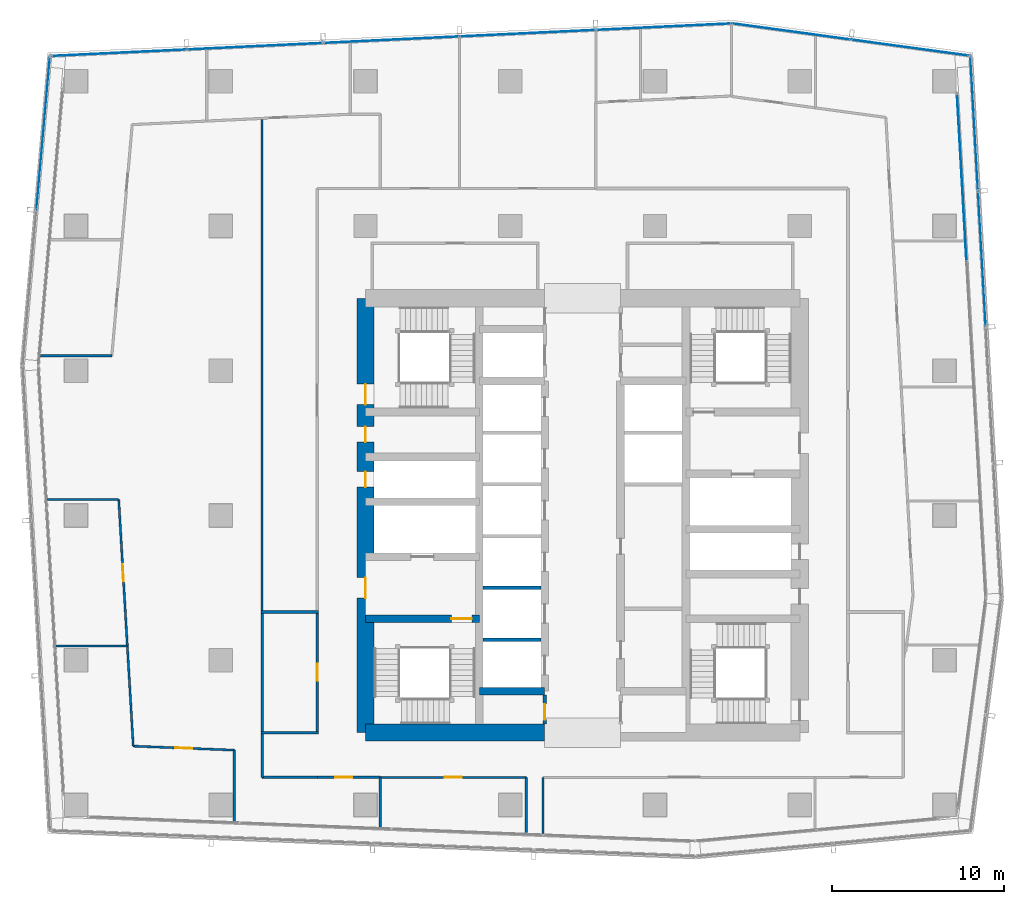
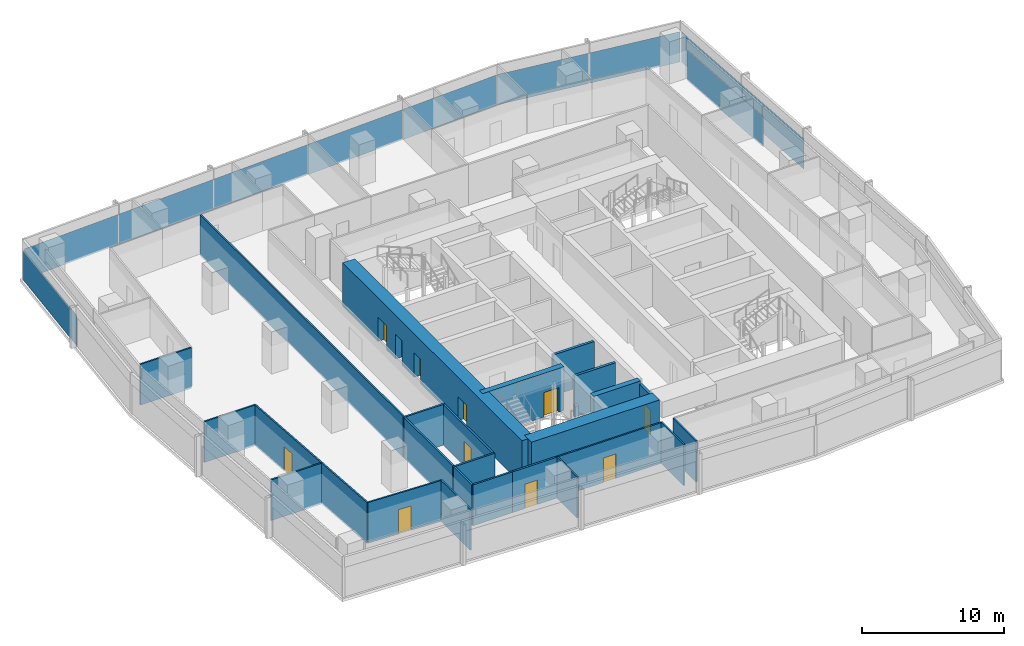
# One storey, part 27 of 38: 26 walls, 11 doors, 11 plates, 11 openings, 5 elements without a shape of their own.
"""IFC4 building model written with IfcOpenShell, lengths in metres."""

from ifc_helpers import new_model, si_unit, direction, frame, frame_2d, origin, origin_2d, place, context, subcontext, project, spatial, rectangle, extrude, material, layer, layer_set, type_object, element, fill, aggregate, save


model = new_model("IFC4")

# Units and contexts
model_context = context("Model", 3, precision=1e-05, world=origin(), true_north=direction((0.0, 1.0)))
body_context = subcontext(model_context, "Body", "Model", "MODEL_VIEW")
ifc_project = project(units=[si_unit("LENGTHUNIT", "METRE"), si_unit("AREAUNIT", "SQUARE_METRE"), si_unit("VOLUMEUNIT", "CUBIC_METRE"), si_unit("PLANEANGLEUNIT", "RADIAN"), si_unit("MASSUNIT", "GRAM", prefix="KILO")], contexts=[model_context])

# Site, building, storey
site_placement = place(None, origin())
site = spatial("IfcSite", under=ifc_project, at=site_placement, CompositionType="ELEMENT")
building_placement = place(site_placement, origin())
building = spatial("IfcBuilding", under=site, at=building_placement, Name="Rekha Terrace Tower", CompositionType="ELEMENT")
storey_placement = place(building_placement, frame((0.0, 0.0, 202.699951171875)))
storey = spatial("IfcBuildingStorey", under=building, at=storey_placement, Name="L51", CompositionType="ELEMENT", Elevation=202.699951171875)

# Curtain wall, plate
ifc_material_1 = material(Name="Aluminium framing", Category="aluminium")
curtain_wall_type_1 = type_object("IfcCurtainWallType", Name="CW1 double skin inner glazing", PredefinedType="USERDEFINED", material=ifc_material_1)
curtain_wall_1_placement = place(storey_placement, origin())
curtain_wall_1 = element("IfcCurtainWall", 1, at=curtain_wall_1_placement, inside=storey, type_object=curtain_wall_type_1, Name="CW1 double skin inner glazing", ObjectType="DOUBLE SKIN INNER GLAZING", PredefinedType="USERDEFINED")
ifc_material_2 = material(Name="Double-glazed low-e unit 32", Category="glass")
ifc_layer_1 = layer(ifc_material_2, 0.031982421875)
ifc_layer_set_1 = layer_set([ifc_layer_1], Name="Double-glazed low-e unit 32")
plate_type_1 = type_object("IfcPlateType", Name="CW1 jumbo vision panel, double-glazed low-e unit 32", PredefinedType="CURTAIN_PANEL", material=ifc_layer_set_1)
plate_1_placement = place(storey_placement, frame((59.799560546875, 53.203369140625, 0.0), z_axis=(0.0, 0.0, 1.0), x_axis=(-0.05667319486, 0.998392782919, 0.0)))
plate_1 = element("IfcPlate", 2, at=plate_1_placement, type_object=plate_type_1, Name="CW1 panel 3.1", PredefinedType="CURTAIN_PANEL", context=body_context, shape_type="SweptSolid", body=[
    extrude(rectangle(XDim=9.694091796875, YDim=0.031982421875, at=origin_2d()), origin(), (0.0, 0.0, 1.0), 2.60009765625),
])
aggregate(curtain_wall_1, [plate_1])

# Curtain wall, plates
curtain_wall_type_2 = type_object("IfcCurtainWallType", Name="CW2 double skin outer glazing", PredefinedType="USERDEFINED", material=ifc_material_1)
curtain_wall_2_placement = place(storey_placement, origin())
curtain_wall_2 = element("IfcCurtainWall", 3, at=curtain_wall_2_placement, inside=storey, type_object=curtain_wall_type_2, Name="CW2 double skin outer glazing", ObjectType="DOUBLE SKIN OUTER GLAZING", PredefinedType="USERDEFINED")
ifc_material_3 = material(Name="Toughened single glazing 12", Category="glass")
ifc_layer_2 = layer(ifc_material_3, 0.011962890625)
ifc_layer_set_2 = layer_set([ifc_layer_2], Name="Toughened single glazing 12")
plate_type_2 = type_object("IfcPlateType", Name="CW2 jumbo vision panel, toughened single glazing 12", PredefinedType="CURTAIN_PANEL", material=ifc_layer_set_2)
plate_2_placement = place(storey_placement, frame((60.9697265625, 48.47314453125, 0.0), z_axis=(0.0, 0.0, 1.0), x_axis=(-0.05667319486, 0.998392782919, 0.0)))
plate_2 = element("IfcPlate", 4, at=plate_2_placement, type_object=plate_type_2, Name="CW2 panel 3.1", PredefinedType="CURTAIN_PANEL", context=body_context, shape_type="SweptSolid", body=[
    extrude(rectangle(XDim=7.823486328125, YDim=0.011962890625, at=origin_2d()), origin(), (0.0, 0.0, 1.0), 2.60009765625),
])
plate_3_placement = place(storey_placement, frame((60.522705078125, 56.343994140625, 0.0), z_axis=(0.0, 0.0, 1.0), x_axis=(-0.05667319486, 0.998392782919, 0.0)))
plate_3 = element("IfcPlate", 5, at=plate_3_placement, type_object=plate_type_2, Name="CW2 panel 4.1", PredefinedType="CURTAIN_PANEL", context=body_context, shape_type="SweptSolid", body=[
    extrude(rectangle(XDim=7.783447265625, YDim=0.011962890625, at=origin_2d()), origin(), (0.0, 0.0, 1.0), 2.60009765625),
])
aggregate(curtain_wall_2, [plate_2, plate_3])

# Curtain wall, plate
curtain_wall_3_placement = place(storey_placement, origin())
curtain_wall_3 = element("IfcCurtainWall", 6, at=curtain_wall_3_placement, inside=storey, type_object=curtain_wall_type_2, Name="CW2 double skin outer glazing", ObjectType="DOUBLE SKIN OUTER GLAZING", PredefinedType="USERDEFINED")
plate_4_placement = place(storey_placement, frame((6.498779296875, 55.78466796875, 0.0), z_axis=(0.0, 0.0, 1.0), x_axis=(-0.087957985453, -0.996124185428, 0.0)))
plate_4 = element("IfcPlate", 7, at=plate_4_placement, type_object=plate_type_2, Name="CW2 panel 1.1", PredefinedType="CURTAIN_PANEL", context=body_context, shape_type="SweptSolid", body=[
    extrude(rectangle(XDim=8.899658203125, YDim=0.011962890625, at=origin_2d()), origin(), (0.0, 0.0, 1.0), 2.60009765625),
])
aggregate(curtain_wall_3, [plate_4])

# Curtain wall, plates
curtain_wall_type_3 = type_object("IfcCurtainWallType", Name="CW3 north unitised glazing", PredefinedType="USERDEFINED", material=ifc_material_1)
curtain_wall_4_placement = place(storey_placement, origin())
curtain_wall_4 = element("IfcCurtainWall", 8, at=curtain_wall_4_placement, inside=storey, type_object=curtain_wall_type_3, Name="CW3 unitised curtain wall", ObjectType="UNITISED CURTAIN WALL", PredefinedType="USERDEFINED")
ifc_material_4 = material(Name="Double-glazed unit 28", Category="glass")
ifc_layer_3 = layer(ifc_material_4, 0.028076171875)
ifc_layer_set_3 = layer_set([ifc_layer_3], Name="Double-glazed unit 28")
plate_type_3 = type_object("IfcPlateType", Name="CW3 jumbo vision panel, double-glazed unit 28", PredefinedType="CURTAIN_PANEL", material=ifc_layer_set_3)
plate_5_placement = place(storey_placement, frame((56.797119140625, 60.745361328125, 0.0), z_axis=(0.0, 0.0, 1.0), x_axis=(-0.990867270504, 0.134840840416, 0.0)))
plate_5 = element("IfcPlate", 9, at=plate_5_placement, type_object=plate_type_3, Name="CW3 panel 1.1", PredefinedType="CURTAIN_PANEL", context=body_context, shape_type="SweptSolid", body=[
    extrude(rectangle(XDim=6.8486328125, YDim=0.028076171875, at=origin_2d()), origin(), (0.0, 0.0, 1.0), 2.60009765625),
])
plate_6_placement = place(storey_placement, frame((49.906982421875, 61.682861328125, 0.0), z_axis=(0.0, 0.0, 1.0), x_axis=(-0.990867270504, 0.134840840416, 0.0)))
plate_6 = element("IfcPlate", 10, at=plate_6_placement, type_object=plate_type_3, Name="CW3 panel 2.1", PredefinedType="CURTAIN_PANEL", context=body_context, shape_type="SweptSolid", body=[
    extrude(rectangle(XDim=6.918701171875, YDim=0.028076171875, at=origin_2d()), origin(), (0.0, 0.0, 1.0), 2.60009765625),
])
aggregate(curtain_wall_4, [plate_5, plate_6])

curtain_wall_5_placement = place(storey_placement, origin())
curtain_wall_5 = element("IfcCurtainWall", 11, at=curtain_wall_5_placement, inside=storey, type_object=curtain_wall_type_3, Name="CW3 unitised curtain wall", ObjectType="UNITISED CURTAIN WALL", PredefinedType="USERDEFINED")
plate_7_placement = place(storey_placement, frame((42.50732421875, 61.95947265625, 0.0), z_axis=(0.0, 0.0, 1.0), x_axis=(-0.998858906204, -0.047758616983, 0.0)))
plate_7 = element("IfcPlate", 12, at=plate_7_placement, type_object=plate_type_3, Name="CW3 panel 1.1", PredefinedType="CURTAIN_PANEL", context=body_context, shape_type="SweptSolid", body=[
    extrude(rectangle(XDim=7.81298828125, YDim=0.028076171875, at=origin_2d()), origin(), (0.0, 0.0, 1.0), 2.60009765625),
])
plate_8_placement = place(storey_placement, frame((34.61572265625, 61.58203125, 0.0), z_axis=(0.0, 0.0, 1.0), x_axis=(-0.998858906204, -0.047758616983, 0.0)))
plate_8 = element("IfcPlate", 13, at=plate_8_placement, type_object=plate_type_3, Name="CW3 panel 2.1", PredefinedType="CURTAIN_PANEL", context=body_context, shape_type="SweptSolid", body=[
    extrude(rectangle(XDim=7.84814453125, YDim=0.028076171875, at=origin_2d()), origin(), (0.0, 0.0, 1.0), 2.60009765625),
])
plate_9_placement = place(storey_placement, frame((26.70654296875, 61.203857421875, 0.0), z_axis=(0.0, 0.0, 1.0), x_axis=(-0.998858906204, -0.047758616983, 0.0)))
plate_9 = element("IfcPlate", 14, at=plate_9_placement, type_object=plate_type_3, Name="CW3 panel 3.1", PredefinedType="CURTAIN_PANEL", context=body_context, shape_type="SweptSolid", body=[
    extrude(rectangle(XDim=7.84814453125, YDim=0.028076171875, at=origin_2d()), origin(), (0.0, 0.0, 1.0), 2.60009765625),
])
plate_10_placement = place(storey_placement, frame((18.79736328125, 60.82568359375, 0.0), z_axis=(0.0, 0.0, 1.0), x_axis=(-0.998858906204, -0.047758616983, 0.0)))
plate_10 = element("IfcPlate", 15, at=plate_10_placement, type_object=plate_type_3, Name="CW3 panel 4.1", PredefinedType="CURTAIN_PANEL", context=body_context, shape_type="SweptSolid", body=[
    extrude(rectangle(XDim=7.84814453125, YDim=0.028076171875, at=origin_2d()), origin(), (0.0, 0.0, 1.0), 2.60009765625),
])
plate_11_placement = place(storey_placement, frame((10.906005859375, 60.448486328125, 0.0), z_axis=(0.0, 0.0, 1.0), x_axis=(-0.998858906204, -0.047758616983, 0.0)))
plate_11 = element("IfcPlate", 16, at=plate_11_placement, type_object=plate_type_3, Name="CW3 panel 5.1", PredefinedType="CURTAIN_PANEL", context=body_context, shape_type="SweptSolid", body=[
    extrude(rectangle(XDim=7.81298828125, YDim=0.028076171875, at=origin_2d()), origin(), (0.0, 0.0, 1.0), 2.60009765625),
])
aggregate(curtain_wall_5, [plate_7, plate_8, plate_9, plate_10, plate_11])

# Wall
ifc_material_5 = material(Name="Concrete M60", Category="concrete")
ifc_layer_4 = layer(ifc_material_5, 0.449951171875)
ifc_layer_set_4 = layer_set([ifc_layer_4], Name="Concrete M60")
wall_type_1 = type_object("IfcWallType", Name="CI3 450 core internal shear wall", PredefinedType="SHEAR", material=ifc_layer_set_4)
wall_1_placement = place(storey_placement, frame((31.800048828125, 23.39990234375, 0.0), z_axis=(0.0, 0.0, 1.0), x_axis=(1.0, 0.0, 0.0)))
element("IfcWall", 17, at=wall_1_placement, inside=storey, type_object=wall_type_1, Name="Core wall Y234W L51", PredefinedType="SHEAR", context=body_context, shape_type="SweptSolid", body=[
    extrude(rectangle(XDim=3.800048828125, YDim=0.449951171875, at=frame_2d((1.89990234375, 0.0))), origin(), (0.0, 0.0, 1.0), 3.75),
])

# Wall, opening, door
wall_2_placement = place(storey_placement, frame((25.199951171875, 27.60009765625, 0.0), z_axis=(0.0, 0.0, 1.0), x_axis=(1.0, 0.0, 0.0)))
wall_2 = element("IfcWall", 18, at=wall_2_placement, inside=storey, type_object=wall_type_1, Name="Core wall Y276W L51", PredefinedType="SHEAR", context=body_context, shape_type="SweptSolid", body=[
    extrude(rectangle(XDim=6.60009765625, YDim=0.449951171875, at=frame_2d((3.300048828125, 0.0))), origin(), (0.0, 0.0, 1.0), 3.75),
])
opening_1_placement = place(wall_2_placement, frame((4.97509765625, 0.0, 0.0)))
opening_1 = element("IfcOpeningElement", 19, at=opening_1_placement, cuts=wall_2, Name="Opening D1", PredefinedType="OPENING", context=body_context, shape_type="SweptSolid", body=[
    extrude(rectangle(XDim=1.199951171875, YDim=2.10009765625, at=frame_2d((0.60009765625, 1.050048828125))), frame((0.0, 0.23486328125, 0.0), z_axis=(0.0, -1.0, 0.0), x_axis=(1.0, 0.0, 0.0)), (0.0, 0.0, 1.0), 0.469970703125),
])
ifc_material_6 = material(Name="Steel fire door", Category="steel")
door_type_1 = type_object("IfcDoorType", Name="D1 1200x2100 stair fire door", OperationType="SINGLE_SWING_RIGHT", PredefinedType="DOOR", material=ifc_material_6)
door_1_placement = place(opening_1_placement, origin())
door_1 = element("IfcDoor", 20, at=door_1_placement, inside=storey, type_object=door_type_1, Name="Stair ST1 door L51", OperationType="SINGLE_SWING_RIGHT", OverallHeight=2.10009765625, OverallWidth=1.199951171875, PredefinedType="DOOR", context=body_context, shape_type="SweptSolid", body=[
    extrude(rectangle(XDim=1.199951171875, YDim=2.10009765625, at=frame_2d((0.60009765625, 1.050048828125))), frame((0.0, 0.02490234375, 0.0), z_axis=(0.0, -1.0, 0.0), x_axis=(1.0, 0.0, 0.0)), (0.0, 0.0, 1.0), 0.050048828125),
])
fill(opening_1, door_1)

# Wall
ifc_layer_5 = layer(ifc_material_5, 1.0)
ifc_layer_set_5 = layer_set([ifc_layer_5], Name="Concrete M60")
wall_type_2 = type_object("IfcWallType", Name="SW3 1000 core outer shear wall", PredefinedType="SHEAR", material=ifc_layer_set_5)
wall_3_placement = place(storey_placement, frame((25.199951171875, 21.0, 0.0), z_axis=(0.0, 0.0, 1.0), x_axis=(1.0, 0.0, 0.0)))
element("IfcWall", 21, at=wall_3_placement, inside=storey, type_object=wall_type_2, Name="Core wall S1 L51", PredefinedType="SHEAR", context=body_context, shape_type="SweptSolid", body=[
    extrude(rectangle(XDim=10.400146484375, YDim=1.0, at=frame_2d((5.2001953125, 0.0))), origin(), (0.0, 0.0, 1.0), 3.75),
])

# Wall, openings, doors
wall_4_placement = place(storey_placement, frame((25.199951171875, 21.0, 0.0), z_axis=(0.0, 0.0, 1.0), x_axis=(0.0, 1.0, 0.0)))
wall_4 = element("IfcWall", 22, at=wall_4_placement, inside=storey, type_object=wall_type_2, Name="Core wall W L51", PredefinedType="SHEAR", context=body_context, shape_type="SweptSolid", body=[
    extrude(rectangle(XDim=25.199951171875, YDim=1.0, at=frame_2d((12.60009765625, 0.0))), origin(), (0.0, 0.0, 1.0), 3.75),
])
opening_2_placement = place(wall_4_placement, frame((7.800048828125, 0.0, 0.0)))
opening_2 = element("IfcOpeningElement", 23, at=opening_2_placement, cuts=wall_4, Name="Opening D2", PredefinedType="OPENING", context=body_context, shape_type="SweptSolid", body=[
    extrude(rectangle(XDim=1.199951171875, YDim=2.10009765625, at=frame_2d((0.60009765625, 1.050048828125))), frame((0.0, 0.510009765625, 0.0), z_axis=(0.0, -1.0, 0.0), x_axis=(1.0, 0.0, 0.0)), (0.0, 0.0, 1.0), 1.02001953125),
])
opening_3_placement = place(wall_4_placement, frame((14.25, 0.0, 0.0)))
opening_3 = element("IfcOpeningElement", 24, at=opening_3_placement, cuts=wall_4, Name="Opening D5", PredefinedType="OPENING", context=body_context, shape_type="SweptSolid", body=[
    extrude(rectangle(XDim=0.89990234375, YDim=2.10009765625, at=frame_2d((0.449951171875, 1.050048828125))), frame((0.0, 0.510009765625, 0.0), z_axis=(0.0, -1.0, 0.0), x_axis=(1.0, 0.0, 0.0)), (0.0, 0.0, 1.0), 1.02001953125),
])
opening_4_placement = place(wall_4_placement, frame((16.85009765625, 0.0, 0.0)))
opening_4 = element("IfcOpeningElement", 25, at=opening_4_placement, cuts=wall_4, Name="Opening D5", PredefinedType="OPENING", context=body_context, shape_type="SweptSolid", body=[
    extrude(rectangle(XDim=0.89990234375, YDim=2.10009765625, at=frame_2d((0.449951171875, 1.050048828125))), frame((0.0, 0.510009765625, 0.0), z_axis=(0.0, -1.0, 0.0), x_axis=(1.0, 0.0, 0.0)), (0.0, 0.0, 1.0), 1.02001953125),
])
opening_5_placement = place(wall_4_placement, frame((19.02490234375, 0.0, 0.0)))
opening_5 = element("IfcOpeningElement", 26, at=opening_5_placement, cuts=wall_4, Name="Opening D1", PredefinedType="OPENING", context=body_context, shape_type="SweptSolid", body=[
    extrude(rectangle(XDim=1.199951171875, YDim=2.10009765625, at=frame_2d((0.60009765625, 1.050048828125))), frame((0.0, 0.510009765625, 0.0), z_axis=(0.0, -1.0, 0.0), x_axis=(1.0, 0.0, 0.0)), (0.0, 0.0, 1.0), 1.02001953125),
])
door_2_placement = place(opening_5_placement, origin())
door_2 = element("IfcDoor", 27, at=door_2_placement, inside=storey, type_object=door_type_1, Name="Stair ST4 door L51", OperationType="SINGLE_SWING_RIGHT", OverallHeight=2.10009765625, OverallWidth=1.199951171875, PredefinedType="DOOR", context=body_context, shape_type="SweptSolid", body=[
    extrude(rectangle(XDim=1.199951171875, YDim=2.10009765625, at=frame_2d((0.60009765625, 1.050048828125))), frame((0.0, 0.02490234375, 0.0), z_axis=(0.0, -1.0, 0.0), x_axis=(1.0, 0.0, 0.0)), (0.0, 0.0, 1.0), 0.050048828125),
])
fill(opening_5, door_2)
door_type_2 = type_object("IfcDoorType", Name="D2 1200x2100 firefighting lobby door", OperationType="SINGLE_SWING_LEFT", PredefinedType="DOOR", material=ifc_material_6)
door_3_placement = place(opening_2_placement, origin())
door_3 = element("IfcDoor", 28, at=door_3_placement, inside=storey, type_object=door_type_2, Name="Door flb1 L51", OperationType="SINGLE_SWING_LEFT", OverallHeight=2.10009765625, OverallWidth=1.199951171875, PredefinedType="DOOR", context=body_context, shape_type="SweptSolid", body=[
    extrude(rectangle(XDim=1.199951171875, YDim=2.10009765625, at=frame_2d((0.60009765625, 1.050048828125))), frame((0.0, 0.02490234375, 0.0), z_axis=(0.0, -1.0, 0.0), x_axis=(1.0, 0.0, 0.0)), (0.0, 0.0, 1.0), 0.050048828125),
])
fill(opening_2, door_3)
door_type_3 = type_object("IfcDoorType", Name="D5 900x2100 riser access door", OperationType="SINGLE_SWING_LEFT", PredefinedType="DOOR", material=ifc_material_6)
door_4_placement = place(opening_3_placement, origin())
door_4 = element("IfcDoor", 29, at=door_4_placement, inside=storey, type_object=door_type_3, Name="Door rs1 L51", OperationType="SINGLE_SWING_LEFT", OverallHeight=2.10009765625, OverallWidth=0.89990234375, PredefinedType="DOOR", context=body_context, shape_type="SweptSolid", body=[
    extrude(rectangle(XDim=0.89990234375, YDim=2.10009765625, at=frame_2d((0.449951171875, 1.050048828125))), frame((0.0, 0.02490234375, 0.0), z_axis=(0.0, -1.0, 0.0), x_axis=(1.0, 0.0, 0.0)), (0.0, 0.0, 1.0), 0.050048828125),
])
fill(opening_3, door_4)
door_5_placement = place(opening_4_placement, origin())
door_5 = element("IfcDoor", 30, at=door_5_placement, inside=storey, type_object=door_type_3, Name="Door elw L51", OperationType="SINGLE_SWING_LEFT", OverallHeight=2.10009765625, OverallWidth=0.89990234375, PredefinedType="DOOR", context=body_context, shape_type="SweptSolid", body=[
    extrude(rectangle(XDim=0.89990234375, YDim=2.10009765625, at=frame_2d((0.449951171875, 1.050048828125))), frame((0.0, 0.02490234375, 0.0), z_axis=(0.0, -1.0, 0.0), x_axis=(1.0, 0.0, 0.0)), (0.0, 0.0, 1.0), 0.050048828125),
])
fill(opening_4, door_5)

# Walls
ifc_material_7 = material(Name="Concrete block masonry, 1 hour", Category="masonry")
ifc_layer_6 = layer(ifc_material_7, 0.14990234375)
ifc_layer_set_6 = layer_set([ifc_layer_6], Name="Concrete block masonry, 1 hour")
wall_type_3 = type_object("IfcWallType", Name="WP2 150 tenancy partition", PredefinedType="PARTITIONING", material=ifc_layer_set_6)
for number, where, z_axis, x_axis, name in (
    (31, (19.125, 21.0, 0.0), (0.0, 0.0, 1.0), (1.0, 0.0, 0.0), "Men's WC wall L51"),
    (32, (19.125, 28.0, 0.0), (0.0, 0.0, 1.0), (1.0, 0.0, 0.0), "Men's WC wall L51"),
):
    element("IfcWall", number, at=place(storey_placement, frame(where, z_axis=z_axis, x_axis=x_axis)), inside=storey, type_object=wall_type_3, Name=name, PredefinedType="PARTITIONING", context=body_context, shape_type="SweptSolid", body=[
        extrude(rectangle(XDim=3.35009765625, YDim=0.14990234375, at=frame_2d((1.675048828125, 0.0))), origin(), (0.0, 0.0, 1.0), 3.5),
    ])
wall_5_placement = place(storey_placement, frame((19.199951171875, 21.074951171875, 0.0), z_axis=(0.0, 0.0, 1.0), x_axis=(0.0, 1.0, 0.0)))
element("IfcWall", 33, at=wall_5_placement, inside=storey, type_object=wall_type_3, Name="Men's WC wall L51", PredefinedType="PARTITIONING", context=body_context, shape_type="SweptSolid", body=[
    extrude(rectangle(XDim=6.85009765625, YDim=0.14990234375, at=frame_2d((3.425048828125, 0.0))), origin(), (0.0, 0.0, 1.0), 3.5),
])

# Wall, opening, door
wall_6_placement = place(storey_placement, frame((22.39990234375, 21.074951171875, 0.0), z_axis=(0.0, 0.0, 1.0), x_axis=(0.0, 1.0, 0.0)))
wall_6 = element("IfcWall", 34, at=wall_6_placement, inside=storey, type_object=wall_type_3, Name="Men's WC wall L51", PredefinedType="PARTITIONING", context=body_context, shape_type="SweptSolid", body=[
    extrude(rectangle(XDim=6.85009765625, YDim=0.14990234375, at=frame_2d((3.425048828125, 0.0))), origin(), (0.0, 0.0, 1.0), 3.5),
])
opening_6_placement = place(wall_6_placement, frame((2.925048828125, 0.0, 0.0)))
opening_6 = element("IfcOpeningElement", 35, at=opening_6_placement, cuts=wall_6, Name="Opening D3", PredefinedType="OPENING", context=body_context, shape_type="SweptSolid", body=[
    extrude(rectangle(XDim=1.0, YDim=2.10009765625, at=frame_2d((0.5, 1.050048828125))), frame((0.0, 0.0849609375, 0.0), z_axis=(0.0, -1.0, 0.0), x_axis=(1.0, 0.0, 0.0)), (0.0, 0.0, 1.0), 0.169921875),
])
ifc_material_8 = material(Name="Laminated timber fire door", Category="wood")
door_type_4 = type_object("IfcDoorType", Name="D3 1000x2100 WC door", OperationType="SINGLE_SWING_LEFT", PredefinedType="DOOR", material=ifc_material_8)
door_6_placement = place(opening_6_placement, origin())
door_6 = element("IfcDoor", 36, at=door_6_placement, inside=storey, type_object=door_type_4, Name="Door men's wc L51", OperationType="SINGLE_SWING_LEFT", OverallHeight=2.10009765625, OverallWidth=1.0, PredefinedType="DOOR", context=body_context, shape_type="SweptSolid", body=[
    extrude(rectangle(XDim=1.0, YDim=2.10009765625, at=frame_2d((0.5, 1.050048828125))), frame((0.0, 0.02490234375, 0.0), z_axis=(0.0, -1.0, 0.0), x_axis=(1.0, 0.0, 0.0)), (0.0, 0.0, 1.0), 0.050048828125),
])
fill(opening_6, door_6)

# Walls
wall_7_placement = place(storey_placement, frame((19.199951171875, 20.925048828125, 0.0), z_axis=(0.0, 0.0, 1.0), x_axis=(0.0, -1.0, 0.0)))
element("IfcWall", 37, at=wall_7_placement, inside=storey, type_object=wall_type_3, Name="Partition L51-O1b", PredefinedType="PARTITIONING", context=body_context, shape_type="SweptSolid", body=[
    extrude(rectangle(XDim=2.525146484375, YDim=0.14990234375, at=frame_2d((1.2626953125, 0.0))), origin(), (0.0, 0.0, 1.0), 3.5),
])
wall_8_placement = place(storey_placement, frame((19.199951171875, 18.39990234375, 0.0), z_axis=(0.0, 0.0, 1.0), x_axis=(1.0, 0.0, 0.0)))
element("IfcWall", 38, at=wall_8_placement, inside=storey, type_object=wall_type_3, Name="Partition L51-O1b", PredefinedType="PARTITIONING", context=body_context, shape_type="SweptSolid", body=[
    extrude(rectangle(XDim=3.199951171875, YDim=0.14990234375, at=frame_2d((1.60009765625, 0.0))), origin(), (0.0, 0.0, 1.0), 3.5),
])

# Wall, opening, door
wall_9_placement = place(storey_placement, frame((22.39990234375, 18.39990234375, 0.0), z_axis=(0.0, 0.0, 1.0), x_axis=(1.0, 0.0, 0.0)))
wall_9 = element("IfcWall", 39, at=wall_9_placement, inside=storey, type_object=wall_type_3, Name="Partition L51-O1b", PredefinedType="PARTITIONING", context=body_context, shape_type="SweptSolid", body=[
    extrude(rectangle(XDim=3.658203125, YDim=0.14990234375, at=frame_2d((1.8291015625, 0.0))), origin(), (0.0, 0.0, 1.0), 3.5),
])
opening_7_placement = place(wall_9_placement, frame((1.029052734375, 0.0, 0.0)))
opening_7 = element("IfcOpeningElement", 40, at=opening_7_placement, cuts=wall_9, Name="Opening D9", PredefinedType="OPENING", context=body_context, shape_type="SweptSolid", body=[
    extrude(rectangle(XDim=1.0, YDim=2.10009765625, at=frame_2d((0.5, 1.050048828125))), frame((0.0, 0.0849609375, 0.0), z_axis=(0.0, -1.0, 0.0), x_axis=(1.0, 0.0, 0.0)), (0.0, 0.0, 1.0), 0.169921875),
])
ifc_material_9 = material(Name="Timber fire door", Category="wood")
door_type_5 = type_object("IfcDoorType", Name="D9 1000x2100 office door", OperationType="SINGLE_SWING_LEFT", PredefinedType="DOOR", material=ifc_material_9)
door_7_placement = place(opening_7_placement, origin())
door_7 = element("IfcDoor", 41, at=door_7_placement, inside=storey, type_object=door_type_5, Name="Door open-plan office L51", OperationType="SINGLE_SWING_LEFT", OverallHeight=2.10009765625, OverallWidth=1.0, PredefinedType="DOOR", context=body_context, shape_type="SweptSolid", body=[
    extrude(rectangle(XDim=1.0, YDim=2.10009765625, at=frame_2d((0.5, 1.050048828125))), frame((0.0, 0.02490234375, 0.0), z_axis=(0.0, -1.0, 0.0), x_axis=(1.0, 0.0, 0.0)), (0.0, 0.0, 1.0), 0.050048828125),
])
fill(opening_7, door_7)

# Walls
ifc_material_10 = material(Name="Two layers of fire-rated gypsum board each side on steel studs, acoustic quilt, 1 hour", Category="steel")
ifc_layer_7 = layer(ifc_material_10, 0.125)
ifc_layer_set_7 = layer_set([ifc_layer_7], Name="Two layers of fire-rated gypsum board each side on steel studs, acoustic quilt, 1 hour")
wall_type_4 = type_object("IfcWallType", Name="WP3 125 office partition", PredefinedType="PARTITIONING", material=ifc_layer_set_7)
wall_10_placement = place(storey_placement, frame((10.47900390625, 42.87109375, 0.0), z_axis=(0.0, 0.0, 1.0), x_axis=(-1.0, 0.0, 0.0)))
element("IfcWall", 42, at=wall_10_placement, inside=storey, type_object=wall_type_4, Name="Partition L51-13", PredefinedType="PARTITIONING", context=body_context, shape_type="SweptSolid", body=[
    extrude(rectangle(XDim=4.136962890625, YDim=0.125, at=frame_2d((2.068359375, 0.0))), origin(), (0.0, 0.0, 1.0), 3.5),
])
wall_11_placement = place(storey_placement, frame((6.720947265625, 34.535888671875, 0.0), z_axis=(0.0, 0.0, 1.0), x_axis=(1.0, 0.0, 0.0)))
element("IfcWall", 43, at=wall_11_placement, inside=storey, type_object=wall_type_4, Name="Partition L51-14", PredefinedType="PARTITIONING", context=body_context, shape_type="SweptSolid", body=[
    extrude(rectangle(XDim=4.156982421875, YDim=0.125, at=frame_2d((2.07861328125, 0.0))), origin(), (0.0, 0.0, 1.0), 3.5),
])

# Wall, opening, door
wall_12_placement = place(storey_placement, frame((10.8779296875, 34.535888671875, 0.0), z_axis=(0.0, 0.0, 1.0), x_axis=(0.058753912615, -0.998272496742, 0.0)))
wall_12 = element("IfcWall", 44, at=wall_12_placement, inside=storey, type_object=wall_type_4, Name="Partition L51-14", PredefinedType="PARTITIONING", context=body_context, shape_type="SweptSolid", body=[
    extrude(rectangle(XDim=8.526611328125, YDim=0.125, at=frame_2d((4.26318359375, 0.0))), origin(), (0.0, 0.0, 1.0), 3.5),
])
opening_8_placement = place(wall_12_placement, frame((3.762939453125, 0.0, 0.0)))
opening_8 = element("IfcOpeningElement", 45, at=opening_8_placement, cuts=wall_12, Name="Opening D9", PredefinedType="OPENING", context=body_context, shape_type="SweptSolid", body=[
    extrude(rectangle(XDim=1.0, YDim=2.10009765625, at=frame_2d((0.5, 1.050048828125))), frame((0.0, 0.072509765625, 0.0), z_axis=(0.0, -1.0, 0.0), x_axis=(1.0, 0.0, 0.0)), (0.0, 0.0, 1.0), 0.14501953125),
])
door_8_placement = place(opening_8_placement, origin())
door_8 = element("IfcDoor", 46, at=door_8_placement, inside=storey, type_object=door_type_5, Name="Door wellness room L51", OperationType="SINGLE_SWING_LEFT", OverallHeight=2.10009765625, OverallWidth=1.0, PredefinedType="DOOR", context=body_context, shape_type="SweptSolid", body=[
    extrude(rectangle(XDim=1.0, YDim=2.10009765625, at=frame_2d((0.5, 1.050048828125))), frame((0.0, 0.02490234375, 0.0), z_axis=(0.0, -1.0, 0.0), x_axis=(1.0, 0.0, 0.0)), (0.0, 0.0, 1.0), 0.050048828125),
])
fill(opening_8, door_8)

# Walls
wall_13_placement = place(storey_placement, frame((11.37890625, 26.02392578125, 0.0), z_axis=(0.0, 0.0, 1.0), x_axis=(-1.0, 0.0, 0.0)))
element("IfcWall", 47, at=wall_13_placement, inside=storey, type_object=wall_type_4, Name="Partition L51-14", PredefinedType="PARTITIONING", context=body_context, shape_type="SweptSolid", body=[
    extrude(rectangle(XDim=4.156982421875, YDim=0.125, at=frame_2d((2.07861328125, 0.0))), origin(), (0.0, 0.0, 1.0), 3.5),
])
wall_14_placement = place(storey_placement, frame((17.5849609375, 19.98193359375, 0.0), z_axis=(0.0, 0.0, 1.0), x_axis=(0.0, -1.0, 0.0)))
element("IfcWall", 48, at=wall_14_placement, inside=storey, type_object=wall_type_4, Name="Partition L51-15", PredefinedType="PARTITIONING", context=body_context, shape_type="SweptSolid", body=[
    extrude(rectangle(XDim=4.15283203125, YDim=0.125, at=frame_2d((2.076416015625, 0.0))), origin(), (0.0, 0.0, 1.0), 3.5),
])
wall_15_placement = place(storey_placement, frame((11.37890625, 26.02294921875, 0.0), z_axis=(0.0, 0.0, 1.0), x_axis=(0.058800752748, -0.998269738836, 0.0)))
element("IfcWall", 49, at=wall_15_placement, inside=storey, type_object=wall_type_4, Name="Partition L51-15", PredefinedType="PARTITIONING", context=body_context, shape_type="SweptSolid", body=[
    extrude(rectangle(XDim=5.81689453125, YDim=0.125, at=frame_2d((2.908447265625, 0.0))), origin(), (0.0, 0.0, 1.0), 3.5),
])

# Wall, opening, door
wall_16_placement = place(storey_placement, frame((11.720947265625, 20.216064453125, 0.0), z_axis=(0.0, 0.0, 1.0), x_axis=(0.999203880049, -0.039894938214, 0.0)))
wall_16 = element("IfcWall", 50, at=wall_16_placement, inside=storey, type_object=wall_type_4, Name="Partition L51-15", PredefinedType="PARTITIONING", context=body_context, shape_type="SweptSolid", body=[
    extrude(rectangle(XDim=5.86865234375, YDim=0.125, at=frame_2d((2.934326171875, 0.0))), origin(), (0.0, 0.0, 1.0), 3.5),
])
opening_9_placement = place(wall_16_placement, frame((2.43408203125, 0.0, 0.0)))
opening_9 = element("IfcOpeningElement", 51, at=opening_9_placement, cuts=wall_16, Name="Opening D9", PredefinedType="OPENING", context=body_context, shape_type="SweptSolid", body=[
    extrude(rectangle(XDim=1.0, YDim=2.10009765625, at=frame_2d((0.5, 1.050048828125))), frame((0.0, 0.072509765625, 0.0), z_axis=(0.0, -1.0, 0.0), x_axis=(1.0, 0.0, 0.0)), (0.0, 0.0, 1.0), 0.14501953125),
])
door_9_placement = place(opening_9_placement, origin())
door_9 = element("IfcDoor", 52, at=door_9_placement, inside=storey, type_object=door_type_5, Name="Door director's office L51", OperationType="SINGLE_SWING_LEFT", OverallHeight=2.10009765625, OverallWidth=1.0, PredefinedType="DOOR", context=body_context, shape_type="SweptSolid", body=[
    extrude(rectangle(XDim=1.0, YDim=2.10009765625, at=frame_2d((0.5, 1.050048828125))), frame((0.0, 0.02490234375, 0.0), z_axis=(0.0, -1.0, 0.0), x_axis=(1.0, 0.0, 0.0)), (0.0, 0.0, 1.0), 0.050048828125),
])
fill(opening_9, door_9)

# Wall
wall_17_placement = place(storey_placement, frame((26.05810546875, 15.489990234375, 0.0), z_axis=(0.0, 0.0, 1.0), x_axis=(0.0, 1.0, 0.0)))
element("IfcWall", 53, at=wall_17_placement, inside=storey, type_object=wall_type_4, Name="Partition L51-16", PredefinedType="PARTITIONING", context=body_context, shape_type="SweptSolid", body=[
    extrude(rectangle(XDim=2.909912109375, YDim=0.125, at=frame_2d((1.455078125, 0.0))), origin(), (0.0, 0.0, 1.0), 3.5),
])

# Wall, opening, door
wall_18_placement = place(storey_placement, frame((26.05810546875, 18.39990234375, 0.0), z_axis=(0.0, 0.0, 1.0), x_axis=(1.0, 0.0, 0.0)))
wall_18 = element("IfcWall", 54, at=wall_18_placement, inside=storey, type_object=wall_type_4, Name="Partition L51-16", PredefinedType="PARTITIONING", context=body_context, shape_type="SweptSolid", body=[
    extrude(rectangle(XDim=8.471923828125, YDim=0.125, at=frame_2d((4.23583984375, 0.0))), origin(), (0.0, 0.0, 1.0), 3.5),
])
opening_10_placement = place(wall_18_placement, frame((3.736083984375, 0.0, 0.0)))
opening_10 = element("IfcOpeningElement", 55, at=opening_10_placement, cuts=wall_18, Name="Opening D9", PredefinedType="OPENING", context=body_context, shape_type="SweptSolid", body=[
    extrude(rectangle(XDim=1.0, YDim=2.10009765625, at=frame_2d((0.5, 1.050048828125))), frame((0.0, 0.072509765625, 0.0), z_axis=(0.0, -1.0, 0.0), x_axis=(1.0, 0.0, 0.0)), (0.0, 0.0, 1.0), 0.14501953125),
])
door_10_placement = place(opening_10_placement, origin())
door_10 = element("IfcDoor", 56, at=door_10_placement, inside=storey, type_object=door_type_5, Name="Door wellness room L51", OperationType="SINGLE_SWING_LEFT", OverallHeight=2.10009765625, OverallWidth=1.0, PredefinedType="DOOR", context=body_context, shape_type="SweptSolid", body=[
    extrude(rectangle(XDim=1.0, YDim=2.10009765625, at=frame_2d((0.5, 1.050048828125))), frame((0.0, 0.02490234375, 0.0), z_axis=(0.0, -1.0, 0.0), x_axis=(1.0, 0.0, 0.0)), (0.0, 0.0, 1.0), 0.050048828125),
])
fill(opening_10, door_10)

# Walls
wall_19_placement = place(storey_placement, frame((34.530029296875, 18.39990234375, 0.0), z_axis=(0.0, 0.0, 1.0), x_axis=(0.0, -1.0, 0.0)))
element("IfcWall", 57, at=wall_19_placement, inside=storey, type_object=wall_type_4, Name="Partition L51-16", PredefinedType="PARTITIONING", context=body_context, shape_type="SweptSolid", body=[
    extrude(rectangle(XDim=3.218017578125, YDim=0.125, at=frame_2d((1.60888671875, 0.0))), origin(), (0.0, 0.0, 1.0), 3.5),
])
wall_20_placement = place(storey_placement, frame((19.199951171875, 28.074951171875, 0.0), z_axis=(0.0, 0.0, 1.0), x_axis=(0.0, 1.0, 0.0)))
element("IfcWall", 58, at=wall_20_placement, inside=storey, type_object=wall_type_4, Name="Partition L51-17", PredefinedType="PARTITIONING", context=body_context, shape_type="SweptSolid", body=[
    extrude(rectangle(XDim=28.5029296875, YDim=0.125, at=frame_2d((14.25146484375, 0.0))), origin(), (0.0, 0.0, 1.0), 3.5),
])
wall_21_placement = place(storey_placement, frame((35.508056640625, 15.14306640625, 0.0), z_axis=(0.0, 0.0, 1.0), x_axis=(0.0, 1.0, 0.0)))
element("IfcWall", 59, at=wall_21_placement, inside=storey, type_object=wall_type_4, Name="Partition L51-18", PredefinedType="PARTITIONING", context=body_context, shape_type="SweptSolid", body=[
    extrude(rectangle(XDim=3.2568359375, YDim=0.125, at=frame_2d((1.62841796875, 0.0))), origin(), (0.0, 0.0, 1.0), 3.5),
])
ifc_material_11 = material(Name="Solid concrete block masonry, 2 hour", Category="masonry")
ifc_layer_8 = layer(ifc_material_11, 0.199951171875)
ifc_layer_set_8 = layer_set([ifc_layer_8], Name="Solid concrete block masonry, 2 hour")
wall_type_5 = type_object("IfcWallType", Name="WS1 200 stair and shaft enclosure", PredefinedType="PARTITIONING", material=ifc_layer_set_8)
for number, where, z_axis, x_axis, name in (
    (60, (32.02490234375, 26.39990234375, 0.0), (0.0, 0.0, 1.0), (1.0, 0.0, 0.0), "Lift shaft divider L51"),
    (61, (32.02490234375, 29.39990234375, 0.0), (0.0, 0.0, 1.0), (1.0, 0.0, 0.0), "Lift shaft divider L51"),
):
    element("IfcWall", number, at=place(storey_placement, frame(where, z_axis=z_axis, x_axis=x_axis)), inside=storey, type_object=wall_type_5, Name=name, PredefinedType="PARTITIONING", context=body_context, shape_type="SweptSolid", body=[
        extrude(rectangle(XDim=3.35009765625, YDim=0.199951171875, at=frame_2d((1.675048828125, 0.0))), origin(), (0.0, 0.0, 1.0), 3.5),
    ])

# Wall, opening, door
wall_22_placement = place(storey_placement, frame((35.60009765625, 21.5, 0.0), z_axis=(0.0, 0.0, 1.0), x_axis=(0.0, 1.0, 0.0)))
wall_22 = element("IfcWall", 62, at=wall_22_placement, inside=storey, type_object=wall_type_5, Name="Core partition west L51", PredefinedType="PARTITIONING", context=body_context, shape_type="SweptSolid", body=[
    extrude(rectangle(XDim=1.675048828125, YDim=0.199951171875, at=frame_2d((0.83740234375, 0.0))), origin(), (0.0, 0.0, 1.0), 3.5),
])
opening_11_placement = place(wall_22_placement, frame((0.25, 0.0, 0.0)))
opening_11 = element("IfcOpeningElement", 63, at=opening_11_placement, cuts=wall_22, Name="Opening D5", PredefinedType="OPENING", context=body_context, shape_type="SweptSolid", body=[
    extrude(rectangle(XDim=0.89990234375, YDim=2.10009765625, at=frame_2d((0.449951171875, 1.050048828125))), frame((0.0, 0.10986328125, 0.0), z_axis=(0.0, -1.0, 0.0), x_axis=(1.0, 0.0, 0.0)), (0.0, 0.0, 1.0), 0.219970703125),
])
door_11_placement = place(opening_11_placement, origin())
door_11 = element("IfcDoor", 64, at=door_11_placement, inside=storey, type_object=door_type_3, Name="Door tenant store L51", OperationType="SINGLE_SWING_LEFT", OverallHeight=2.10009765625, OverallWidth=0.89990234375, PredefinedType="DOOR", context=body_context, shape_type="SweptSolid", body=[
    extrude(rectangle(XDim=0.89990234375, YDim=2.10009765625, at=frame_2d((0.449951171875, 1.050048828125))), frame((0.0, 0.02490234375, 0.0), z_axis=(0.0, -1.0, 0.0), x_axis=(1.0, 0.0, 0.0)), (0.0, 0.0, 1.0), 0.050048828125),
])
fill(opening_11, door_11)

save(model, "model.ifc")
